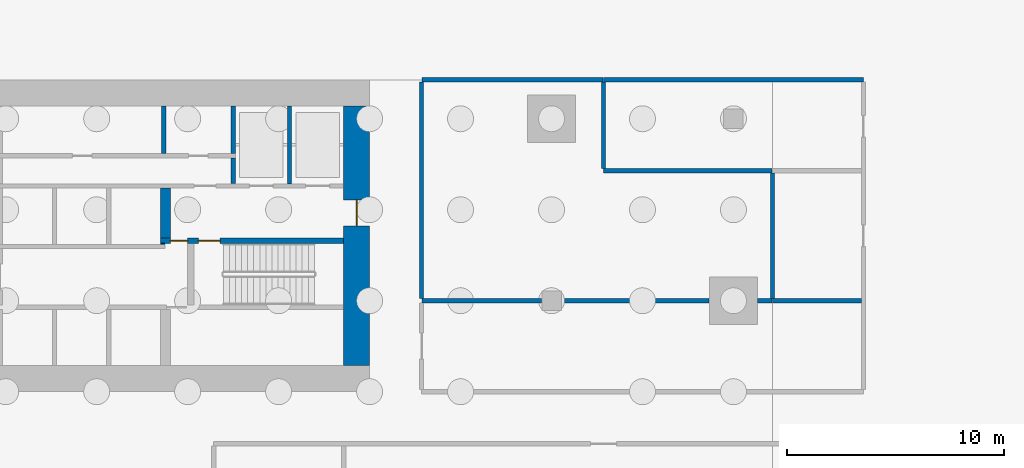
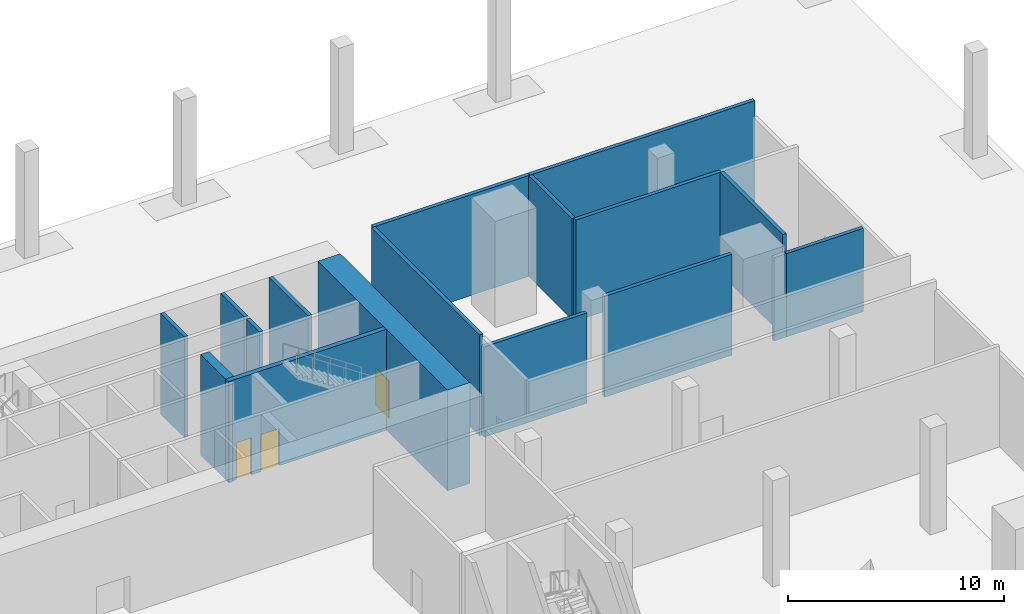
# One storey, part 9 of 16: 18 walls, 3 doors, 3 openings.
"""IFC4 building model written with IfcOpenShell, lengths in metres."""

from ifc_helpers import new_model, si_unit, direction, frame, frame_2d, origin, place, context, subcontext, project, spatial, rectangle, extrude, material, layer, layer_set, type_object, element, fill, save


model = new_model("IFC4")

# Units and contexts
model_context = context("Model", 3, precision=1e-05, world=origin(), true_north=direction((0.0, 1.0)))
body_context = subcontext(model_context, "Body", "Model", "MODEL_VIEW")
ifc_project = project(units=[si_unit("LENGTHUNIT", "METRE"), si_unit("AREAUNIT", "SQUARE_METRE"), si_unit("VOLUMEUNIT", "CUBIC_METRE"), si_unit("PLANEANGLEUNIT", "RADIAN"), si_unit("MASSUNIT", "GRAM", prefix="KILO")], contexts=[model_context])

# Site, building, storey
site_placement = place(None, origin())
site = spatial("IfcSite", under=ifc_project, at=site_placement, CompositionType="ELEMENT")
building_placement = place(site_placement, origin())
building = spatial("IfcBuilding", under=site, at=building_placement, Name="Saffron Gate Tower", CompositionType="ELEMENT")
storey_placement = place(building_placement, frame((0.0, 0.0, -6.0)))
storey = spatial("IfcBuildingStorey", under=building, at=storey_placement, Name="B1", CompositionType="ELEMENT", Elevation=-6.0)

# Wall, opening, door
ifc_material_1 = material(Name="Concrete C70", Category="concrete")
ifc_layer_1 = layer(ifc_material_1, 1.199951171875)
ifc_layer_set_1 = layer_set([ifc_layer_1], Name="CW1 RC core wall 1200 C70")
wall_type_1 = type_object("IfcWallType", Name="CW1 RC core wall 1200 C70", PredefinedType="SOLIDWALL", material=ifc_layer_set_1)
wall_1_placement = place(storey_placement, frame((108.0, 62.39990234375, 0.0), z_axis=(0.0, 0.0, 1.0), x_axis=(0.0, 1.0, 0.0)))
wall_1 = element("IfcWall", 1, at=wall_1_placement, inside=storey, type_object=wall_type_1, Name="Wall CW1-B1-4", PredefinedType="SOLIDWALL", context=body_context, shape_type="SweptSolid", body=[
    extrude(rectangle(XDim=12.0, YDim=1.199951171875, at=frame_2d((6.0, 0.0))), origin(), (0.0, 0.0, 1.0), 5.699951171875),
])
opening_1_placement = place(wall_1_placement, frame((6.449951171875, 0.0, 0.0)))
opening_1 = element("IfcOpeningElement", 2, at=opening_1_placement, cuts=wall_1, Name="Opening CR-08", PredefinedType="OPENING", context=body_context, shape_type="SweptSolid", body=[
    extrude(rectangle(XDim=1.199951171875, YDim=2.10009765625, at=frame_2d((0.60009765625, 1.050048828125))), frame((0.0, 0.60986328125, 0.0), z_axis=(0.0, -1.0, 0.0), x_axis=(1.0, 0.0, 0.0)), (0.0, 0.0, 1.0), 1.219970703125),
])
ifc_material_2 = material(Name="Steel fire door set", Category="steel")
door_type_1 = type_object("IfcDoorType", Name="CD7 Core entrance door 1200x2100 EI 120", OperationType="NOTDEFINED", PredefinedType="DOOR", material=ifc_material_2)
door_1_placement = place(opening_1_placement, origin())
door_1 = element("IfcDoor", 3, at=door_1_placement, inside=storey, type_object=door_type_1, Name="DOOR CR-08", OperationType="SINGLE_SWING_RIGHT", OverallHeight=2.10009765625, OverallWidth=1.199951171875, PredefinedType="DOOR", context=body_context, shape_type="SweptSolid", body=[
    extrude(rectangle(XDim=1.199951171875, YDim=2.10009765625, at=frame_2d((0.60009765625, 1.050048828125))), frame((0.0, 0.02490234375, 0.0), z_axis=(0.0, -1.0, 0.0), x_axis=(1.0, 0.0, 0.0)), (0.0, 0.0, 1.0), 0.050048828125),
])
fill(opening_1, door_1)

# Wall, openings, doors
ifc_layer_2 = layer(ifc_material_1, 0.25)
ifc_layer_set_2 = layer_set([ifc_layer_2], Name="CW2 RC core wall 250 C70")
wall_type_2 = type_object("IfcWallType", Name="CW2 RC core wall 250 C70", PredefinedType="SOLIDWALL", material=ifc_layer_set_2)
wall_2_placement = place(storey_placement, frame((98.949951171875, 68.175048828125, 0.0), z_axis=(0.0, 0.0, 1.0), x_axis=(1.0, 0.0, 0.0)))
wall_2 = element("IfcWall", 4, at=wall_2_placement, inside=storey, type_object=wall_type_2, Name="Wall CW2-B1-31", PredefinedType="SOLIDWALL", context=body_context, shape_type="SweptSolid", body=[
    extrude(rectangle(XDim=8.449951171875, YDim=0.25, at=frame_2d((4.22509765625, 0.0))), origin(), (0.0, 0.0, 1.0), 5.699951171875),
])
opening_2_placement = place(wall_2_placement, frame((0.449951171875, 0.0, 0.0)))
opening_2 = element("IfcOpeningElement", 5, at=opening_2_placement, cuts=wall_2, Name="Opening CR-05", PredefinedType="OPENING", context=body_context, shape_type="SweptSolid", body=[
    extrude(rectangle(XDim=0.800048828125, YDim=2.10009765625, at=frame_2d((0.39990234375, 1.050048828125))), frame((0.0, 0.135009765625, 0.0), z_axis=(0.0, -1.0, 0.0), x_axis=(1.0, 0.0, 0.0)), (0.0, 0.0, 1.0), 0.27001953125),
])
opening_3_placement = place(wall_2_placement, frame((1.75, 0.0, 0.0)))
opening_3 = element("IfcOpeningElement", 6, at=opening_3_placement, cuts=wall_2, Name="Opening CR-16", PredefinedType="OPENING", context=body_context, shape_type="SweptSolid", body=[
    extrude(rectangle(XDim=1.0, YDim=2.10009765625, at=frame_2d((0.5, 1.050048828125))), frame((0.0, 0.135009765625, 0.0), z_axis=(0.0, -1.0, 0.0), x_axis=(1.0, 0.0, 0.0)), (0.0, 0.0, 1.0), 0.27001953125),
])
door_type_2 = type_object("IfcDoorType", Name="CD5 Stair door 1000x2100 EI 120", OperationType="NOTDEFINED", PredefinedType="DOOR", material=ifc_material_2)
door_2_placement = place(opening_3_placement, origin())
door_2 = element("IfcDoor", 7, at=door_2_placement, inside=storey, type_object=door_type_2, Name="DOOR CR-16", OperationType="SINGLE_SWING_RIGHT", OverallHeight=2.10009765625, OverallWidth=1.0, PredefinedType="DOOR", context=body_context, shape_type="SweptSolid", body=[
    extrude(rectangle(XDim=1.0, YDim=2.10009765625, at=frame_2d((0.5, 1.050048828125))), frame((0.0, 0.02490234375, 0.0), z_axis=(0.0, -1.0, 0.0), x_axis=(1.0, 0.0, 0.0)), (0.0, 0.0, 1.0), 0.050048828125),
])
fill(opening_3, door_2)
door_type_3 = type_object("IfcDoorType", Name="CD6 Lobby door 800x2100 EI 120", OperationType="NOTDEFINED", PredefinedType="DOOR", material=ifc_material_2)
door_3_placement = place(opening_2_placement, origin())
door_3 = element("IfcDoor", 8, at=door_3_placement, inside=storey, type_object=door_type_3, Name="DOOR CR-05", OperationType="SINGLE_SWING_LEFT", OverallHeight=2.10009765625, OverallWidth=0.800048828125, PredefinedType="DOOR", context=body_context, shape_type="SweptSolid", body=[
    extrude(rectangle(XDim=0.800048828125, YDim=2.10009765625, at=frame_2d((0.39990234375, 1.050048828125))), frame((0.0, 0.02490234375, 0.0), z_axis=(0.0, -1.0, 0.0), x_axis=(1.0, 0.0, 0.0)), (0.0, 0.0, 1.0), 0.050048828125),
])
fill(opening_2, door_3)

# Walls
ifc_layer_3 = layer(ifc_material_1, 0.199951171875)
ifc_layer_set_3 = layer_set([ifc_layer_3], Name="CW3 RC core wall 200 C70")
wall_type_3 = type_object("IfcWallType", Name="CW3 RC core wall 200 C70", PredefinedType="SOLIDWALL", material=ifc_layer_set_3)
wall_3_placement = place(storey_placement, frame((102.300048828125, 70.800048828125, 0.0), z_axis=(0.0, 0.0, 1.0), x_axis=(0.0, 1.0, 0.0)))
element("IfcWall", 9, at=wall_3_placement, inside=storey, type_object=wall_type_3, Name="Wall CW3-B1-39", PredefinedType="SOLIDWALL", context=body_context, shape_type="SweptSolid", body=[
    extrude(rectangle(XDim=1.199951171875, YDim=0.199951171875, at=frame_2d((0.60009765625, 0.0))), origin(), (0.0, 0.0, 1.0), 5.699951171875),
])
wall_4_placement = place(storey_placement, frame((104.89990234375, 70.800048828125, 0.0), z_axis=(0.0, 0.0, 1.0), x_axis=(0.0, 1.0, 0.0)))
element("IfcWall", 10, at=wall_4_placement, inside=storey, type_object=wall_type_3, Name="Wall CW3-B1-40", PredefinedType="SOLIDWALL", context=body_context, shape_type="SweptSolid", body=[
    extrude(rectangle(XDim=3.599853515625, YDim=0.199951171875, at=frame_2d((1.7998046875, 0.0))), origin(), (0.0, 0.0, 1.0), 5.699951171875),
])
for number, where, z_axis, x_axis, name in (
    (11, (99.10009765625, 72.199951171875, 0.0), (0.0, 0.0, 1.0), (0.0, 1.0, 0.0), "Wall CW3-B1-48"),
    (12, (102.300048828125, 72.199951171875, 0.0), (0.0, 0.0, 1.0), (0.0, 1.0, 0.0), "Wall CW3-B1-49"),
):
    element("IfcWall", number, at=place(storey_placement, frame(where, z_axis=z_axis, x_axis=x_axis)), inside=storey, type_object=wall_type_3, Name=name, PredefinedType="SOLIDWALL", context=body_context, shape_type="SweptSolid", body=[
        extrude(rectangle(XDim=2.199951171875, YDim=0.199951171875, at=frame_2d((1.10009765625, 0.0))), origin(), (0.0, 0.0, 1.0), 5.699951171875),
    ])
ifc_layer_4 = layer(ifc_material_1, 0.449951171875)
ifc_layer_set_4 = layer_set([ifc_layer_4], Name="CW4 RC core wall 450 C70")
wall_type_4 = type_object("IfcWallType", Name="CW4 RC core wall 450 C70", PredefinedType="SOLIDWALL", material=ifc_layer_set_4)
wall_5_placement = place(storey_placement, frame((99.175048828125, 68.300048828125, 0.0), z_axis=(0.0, 0.0, 1.0), x_axis=(0.0, 1.0, 0.0)))
element("IfcWall", 13, at=wall_5_placement, inside=storey, type_object=wall_type_4, Name="Wall CW4-B1-33", PredefinedType="SOLIDWALL", context=body_context, shape_type="SweptSolid", body=[
    extrude(rectangle(XDim=2.300048828125, YDim=0.449951171875, at=frame_2d((1.14990234375, 0.0))), origin(), (0.0, 0.0, 1.0), 5.699951171875),
])
ifc_layer_5 = layer(ifc_material_1, 0.050048828125)
ifc_layer_set_5 = layer_set([ifc_layer_5], Name="CW6 RC core wall 50 C70")
wall_type_5 = type_object("IfcWallType", Name="CW6 RC core wall 50 C70", PredefinedType="SOLIDWALL", material=ifc_layer_set_5)
wall_6_placement = place(storey_placement, frame((98.949951171875, 68.02490234375, 0.0), z_axis=(0.0, 0.0, 1.0), x_axis=(1.0, 0.0, 0.0)))
element("IfcWall", 14, at=wall_6_placement, inside=storey, type_object=wall_type_5, Name="Wall CW6-B1-29", PredefinedType="SOLIDWALL", context=body_context, shape_type="SweptSolid", body=[
    extrude(rectangle(XDim=0.199951171875, YDim=0.050048828125, at=frame_2d((0.10009765625, 0.0))), origin(), (0.0, 0.0, 1.0), 5.699951171875),
])
ifc_material_3 = material(Name="Clay brick masonry, rendered", Category="masonry")
ifc_layer_6 = layer(ifc_material_3, 0.199951171875)
ifc_layer_set_6 = layer_set([ifc_layer_6], Name="PW3 Corridor wall 200")
wall_type_6 = type_object("IfcWallType", Name="PW3 Corridor wall 200", PredefinedType="PARTITIONING", material=ifc_layer_set_6)
wall_7_placement = place(storey_placement, frame((119.39990234375, 75.60009765625, 0.0), z_axis=(0.0, 0.0, 1.0), x_axis=(1.0, 0.0, 0.0)))
element("IfcWall", 15, at=wall_7_placement, inside=storey, type_object=wall_type_6, Name="Wall BS-27", PredefinedType="PARTITIONING", context=body_context, shape_type="SweptSolid", body=[
    extrude(rectangle(XDim=12.0, YDim=0.199951171875, at=frame_2d((6.0, 0.0))), origin(), (0.0, 0.0, 1.0), 5.699951171875),
])
ifc_layer_7 = layer(ifc_material_3, 0.199951171875)
ifc_layer_set_7 = layer_set([ifc_layer_7], Name="PW5 Room wall 200")
wall_type_7 = type_object("IfcWallType", Name="PW5 Room wall 200", PredefinedType="PARTITIONING", material=ifc_layer_set_7)
wall_8_placement = place(storey_placement, frame((111.02001953125, 65.39990234375, 0.0), z_axis=(0.0, 0.0, 1.0), x_axis=(1.0, 0.0, 0.0)))
element("IfcWall", 16, at=wall_8_placement, inside=storey, type_object=wall_type_7, Name="Wall BS-15", PredefinedType="PARTITIONING", context=body_context, shape_type="SweptSolid", body=[
    extrude(rectangle(XDim=5.510009765625, YDim=0.199951171875, at=frame_2d((2.7548828125, 0.0))), origin(), (0.0, 0.0, 1.0), 5.10009765625),
])
wall_9_placement = place(storey_placement, frame((117.469970703125, 65.39990234375, 0.0), z_axis=(0.0, 0.0, 1.0), x_axis=(1.0, 0.0, 0.0)))
element("IfcWall", 17, at=wall_9_placement, inside=storey, type_object=wall_type_7, Name="Wall BS-16", PredefinedType="PARTITIONING", context=body_context, shape_type="SweptSolid", body=[
    extrude(rectangle(XDim=6.81005859375, YDim=0.199951171875, at=frame_2d((3.405029296875, 0.0))), origin(), (0.0, 0.0, 1.0), 5.699951171875),
])
wall_10_placement = place(storey_placement, frame((126.52001953125, 65.39990234375, 0.0), z_axis=(0.0, 0.0, 1.0), x_axis=(1.0, 0.0, 0.0)))
element("IfcWall", 18, at=wall_10_placement, inside=storey, type_object=wall_type_7, Name="Wall BS-17", PredefinedType="PARTITIONING", context=body_context, shape_type="SweptSolid", body=[
    extrude(rectangle(XDim=0.659912109375, YDim=0.199951171875, at=frame_2d((0.330078125, 0.0))), origin(), (0.0, 0.0, 1.0), 4.7099609375),
])
wall_11_placement = place(storey_placement, frame((127.199951171875, 65.39990234375, 0.0), z_axis=(0.0, 0.0, 1.0), x_axis=(1.0, 0.0, 0.0)))
element("IfcWall", 19, at=wall_11_placement, inside=storey, type_object=wall_type_7, Name="Wall BS-21", PredefinedType="PARTITIONING", context=body_context, shape_type="SweptSolid", body=[
    extrude(rectangle(XDim=4.10009765625, YDim=0.199951171875, at=frame_2d((2.050048828125, 0.0))), origin(), (0.0, 0.0, 1.0), 4.7099609375),
])
wall_12_placement = place(storey_placement, frame((119.39990234375, 71.39990234375, 0.0), z_axis=(0.0, 0.0, 1.0), x_axis=(1.0, 0.0, 0.0)))
element("IfcWall", 20, at=wall_12_placement, inside=storey, type_object=wall_type_7, Name="Wall BS-24", PredefinedType="PARTITIONING", context=body_context, shape_type="SweptSolid", body=[
    extrude(rectangle(XDim=7.780029296875, YDim=0.199951171875, at=frame_2d((3.89013671875, 0.0))), origin(), (0.0, 0.0, 1.0), 5.699951171875),
])
wall_13_placement = place(storey_placement, frame((111.02001953125, 75.60009765625, 0.0), z_axis=(0.0, 0.0, 1.0), x_axis=(1.0, 0.0, 0.0)))
element("IfcWall", 21, at=wall_13_placement, inside=storey, type_object=wall_type_7, Name="Wall BS-29", PredefinedType="PARTITIONING", context=body_context, shape_type="SweptSolid", body=[
    extrude(rectangle(XDim=8.35986328125, YDim=0.199951171875, at=frame_2d((4.179931640625, 0.0))), origin(), (0.0, 0.0, 1.0), 5.699951171875),
])
wall_14_placement = place(storey_placement, frame((111.0, 75.5, 0.0), z_axis=(0.0, 0.0, 1.0), x_axis=(0.0, -1.0, 0.0)))
element("IfcWall", 22, at=wall_14_placement, inside=storey, type_object=wall_type_7, Name="Wall BS-50", PredefinedType="PARTITIONING", context=body_context, shape_type="SweptSolid", body=[
    extrude(rectangle(XDim=10.0, YDim=0.199951171875, at=frame_2d((5.0, 0.0))), origin(), (0.0, 0.0, 1.0), 5.699951171875),
])
wall_15_placement = place(storey_placement, frame((119.39990234375, 75.5, 0.0), z_axis=(0.0, 0.0, 1.0), x_axis=(0.0, -1.0, 0.0)))
element("IfcWall", 23, at=wall_15_placement, inside=storey, type_object=wall_type_7, Name="Wall BS-51", PredefinedType="PARTITIONING", context=body_context, shape_type="SweptSolid", body=[
    extrude(rectangle(XDim=4.0, YDim=0.199951171875, at=frame_2d((2.0, 0.0))), origin(), (0.0, 0.0, 1.0), 5.699951171875),
])
wall_16_placement = place(storey_placement, frame((127.199951171875, 71.300048828125, 0.0), z_axis=(0.0, 0.0, 1.0), x_axis=(0.0, -1.0, 0.0)))
element("IfcWall", 24, at=wall_16_placement, inside=storey, type_object=wall_type_7, Name="Wall BS-52", PredefinedType="PARTITIONING", context=body_context, shape_type="SweptSolid", body=[
    extrude(rectangle(XDim=5.800048828125, YDim=0.199951171875, at=frame_2d((2.89990234375, 0.0))), origin(), (0.0, 0.0, 1.0), 5.699951171875),
])

save(model, "model.ifc")
